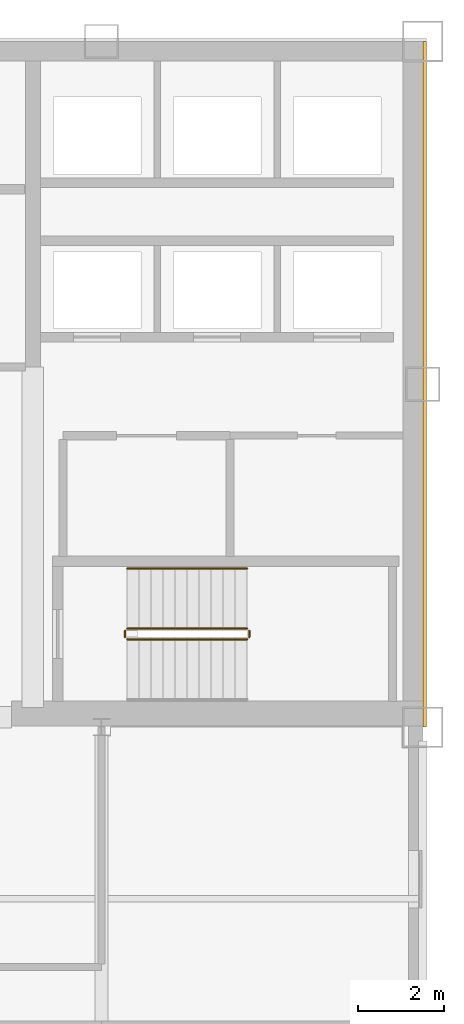
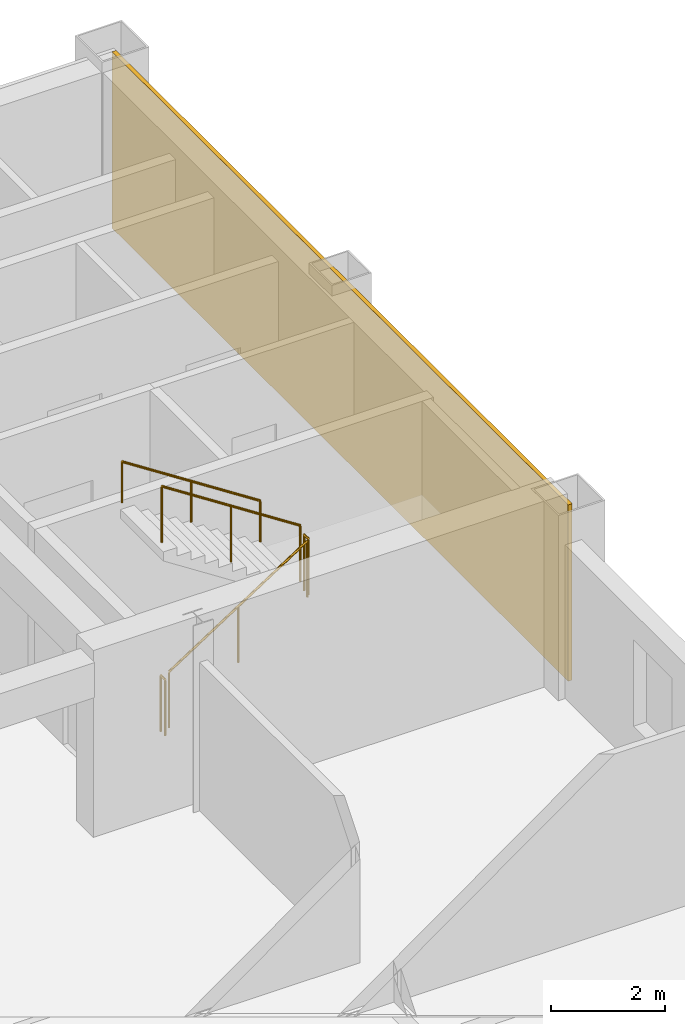
# One storey, part 9 of 11: 5 railings, 1 covering.
"""IFC4 building model written with IfcOpenShell, lengths in metres."""

from ifc_helpers import new_model, si_unit, direction, frame, origin, origin_2d, place, context, subcontext, project, spatial, rectangle, circle, extrude, material, layer, layer_set, type_object, element, save


model = new_model("IFC4")

# Units and contexts
model_context = context("Model", 3, precision=1e-05, world=origin(), true_north=direction((0.0, 1.0)))
body_context = subcontext(model_context, "Body", "Model", "MODEL_VIEW")
ifc_project = project(units=[si_unit("LENGTHUNIT", "METRE"), si_unit("AREAUNIT", "SQUARE_METRE"), si_unit("VOLUMEUNIT", "CUBIC_METRE"), si_unit("PLANEANGLEUNIT", "RADIAN"), si_unit("MASSUNIT", "GRAM", prefix="KILO")], contexts=[model_context])

# Site, building, storey
site_placement = place(None, origin())
site = spatial("IfcSite", under=ifc_project, at=site_placement, CompositionType="ELEMENT")
building_placement = place(site_placement, origin())
building = spatial("IfcBuilding", under=site, at=building_placement, Name="Qianrong Seaharbour Tower", CompositionType="ELEMENT")
storey_placement = place(building_placement, frame((0.0, 0.0, 265.800048828125)))
storey = spatial("IfcBuildingStorey", under=building, at=storey_placement, Name="L64", CompositionType="ELEMENT", Elevation=265.800048828125)

# Covering
ifc_material_1 = material(Name="Unitised red brick cladding on Precast concrete C45/55", Category="masonry")
ifc_layer = layer(ifc_material_1, 0.080078125)
ifc_layer_set = layer_set([ifc_layer], Name="Unitised red brick cladding on Precast concrete C45/55")
covering_type = type_object("IfcCoveringType", Name="COV-CLAD-RED-BRICK-80", PredefinedType="CLADDING", material=ifc_layer_set)
covering_placement = place(storey_placement, frame((64.0400390625, 44.0, 0.0), z_axis=(0.0, 0.0, 1.0), x_axis=(1.0, 0.0, 0.0)))
element("IfcCovering", 1, at=covering_placement, inside=storey, type_object=covering_type, Name="L64 East Core Brick Veneer Cladding", PredefinedType="CLADDING", context=body_context, shape_type="SweptSolid", body=[
    extrude(rectangle(XDim=0.080078125, YDim=16.0, at=origin_2d()), origin(), (0.0, 0.0, 1.0), 3.77490234375),
])

# Railings
ifc_material_2 = material(Name="Galvanized painted steel SN400B stair guard", Category="steel")
railing_type_1 = type_object("IfcRailingType", Name="RAIL-STAIR-GUARD-1220", PredefinedType="GUARDRAIL", material=ifc_material_2)
railing_1_placement = place(storey_placement, frame((57.10009765625, 38.050048828125, 0.181884765625)))
element("IfcRailing", 2, at=railing_1_placement, inside=storey, type_object=railing_type_1, Name="L64 ST-2 stair guard 1", PredefinedType="GUARDRAIL", context=body_context, shape_type="SweptSolid", body=[
    extrude(circle(Radius=0.02392578125, at=origin_2d()), frame((0.0, 0.0, 1.19580078125), z_axis=(0.83868413941, 0.0, 0.544618136222), x_axis=(0.0, 1.0, 0.0)), (0.0, 0.0, 1.0), 3.33837890625),
    extrude(circle(Radius=0.02099609375, at=origin_2d()), origin(), (0.0, 0.0, 1.0), 1.171875),
    extrude(circle(Radius=0.02099609375, at=origin_2d()), frame((1.39990234375, 0.0, 0.9091796875)), (0.0, 0.0, 1.0), 1.171875),
    extrude(circle(Radius=0.02099609375, at=origin_2d()), frame((2.7998046875, 0.0, 1.818115234375)), (0.0, 0.0, 1.0), 1.171875),
])
railing_2_placement = place(storey_placement, frame((59.949951171875, 38.10009765625, 2.0)))
element("IfcRailing", 3, at=railing_2_placement, inside=storey, type_object=railing_type_1, Name="L64 ST-2 stair guard 2", PredefinedType="GUARDRAIL", context=body_context, shape_type="SweptSolid", body=[
    extrude(circle(Radius=0.02392578125, at=origin_2d()), frame((0.0, 0.0, 1.19580078125), z_axis=(0.0, 1.0, 0.0), x_axis=(-1.0, 0.0, 0.0)), (0.0, 0.0, 1.0), 0.14990234375),
    extrude(circle(Radius=0.02099609375, at=origin_2d()), origin(), (0.0, 0.0, 1.0), 1.171875),
    extrude(circle(Radius=0.02099609375, at=origin_2d()), frame((0.0, 0.14990234375, 0.0)), (0.0, 0.0, 1.0), 1.171875),
])
railing_3_placement = place(storey_placement, frame((59.89990234375, 38.300048828125, 2.181884765625)))
element("IfcRailing", 4, at=railing_3_placement, inside=storey, type_object=railing_type_1, Name="L64 ST-2 stair guard 3", PredefinedType="GUARDRAIL", context=body_context, shape_type="SweptSolid", body=[
    extrude(circle(Radius=0.02392578125, at=origin_2d()), frame((0.0, 0.0, 1.19580078125), z_axis=(-0.83868413941, 0.0, 0.544618136222), x_axis=(0.0, -1.0, 0.0)), (0.0, 0.0, 1.0), 3.33837890625),
    extrude(circle(Radius=0.02099609375, at=origin_2d()), origin(), (0.0, 0.0, 1.0), 1.171875),
    extrude(circle(Radius=0.02099609375, at=origin_2d()), frame((-1.39990234375, 0.0, 0.9091796875)), (0.0, 0.0, 1.0), 1.171875),
    extrude(circle(Radius=0.02099609375, at=origin_2d()), frame((-2.7998046875, 0.0, 1.818115234375)), (0.0, 0.0, 1.0), 1.171875),
])
railing_4_placement = place(storey_placement, frame((57.050048828125, 38.10009765625, 0.0)))
element("IfcRailing", 5, at=railing_4_placement, inside=storey, type_object=railing_type_1, Name="L64 ST-2 stair guard 4", PredefinedType="GUARDRAIL", context=body_context, shape_type="SweptSolid", body=[
    extrude(circle(Radius=0.02392578125, at=origin_2d()), frame((0.0, 0.0, 1.19580078125), z_axis=(0.0, 1.0, 0.0), x_axis=(-1.0, 0.0, 0.0)), (0.0, 0.0, 1.0), 0.14990234375),
    extrude(circle(Radius=0.02099609375, at=origin_2d()), origin(), (0.0, 0.0, 1.0), 1.171875),
    extrude(circle(Radius=0.02099609375, at=origin_2d()), frame((0.0, 0.14990234375, 0.0)), (0.0, 0.0, 1.0), 1.171875),
])
ifc_material_3 = material(Name="Stainless steel SUS316L continuous handrail", Category="steel")
railing_type_2 = type_object("IfcRailingType", Name="RAIL-STAIR-HANDRAIL-900", PredefinedType="HANDRAIL", material=ifc_material_3)
railing_5_placement = place(storey_placement, frame((59.89990234375, 39.699951171875, 2.181884765625)))
element("IfcRailing", 6, at=railing_5_placement, inside=storey, type_object=railing_type_2, Name="L64 ST-2 stair handrail 2", PredefinedType="HANDRAIL", context=body_context, shape_type="SweptSolid", body=[
    extrude(circle(Radius=0.02392578125, at=origin_2d()), frame((0.0, 0.0, 0.8759765625), z_axis=(-0.83868413941, 0.0, 0.544618136222), x_axis=(0.0, -1.0, 0.0)), (0.0, 0.0, 1.0), 3.33837890625),
    extrude(circle(Radius=0.02099609375, at=origin_2d()), origin(), (0.0, 0.0, 1.0), 0.851806640625),
    extrude(circle(Radius=0.02099609375, at=origin_2d()), frame((-1.39990234375, 0.0, 0.9091796875)), (0.0, 0.0, 1.0), 0.851806640625),
    extrude(circle(Radius=0.02099609375, at=origin_2d()), frame((-2.7998046875, 0.0, 1.818115234375)), (0.0, 0.0, 1.0), 0.851806640625),
])

save(model, "model.ifc")
